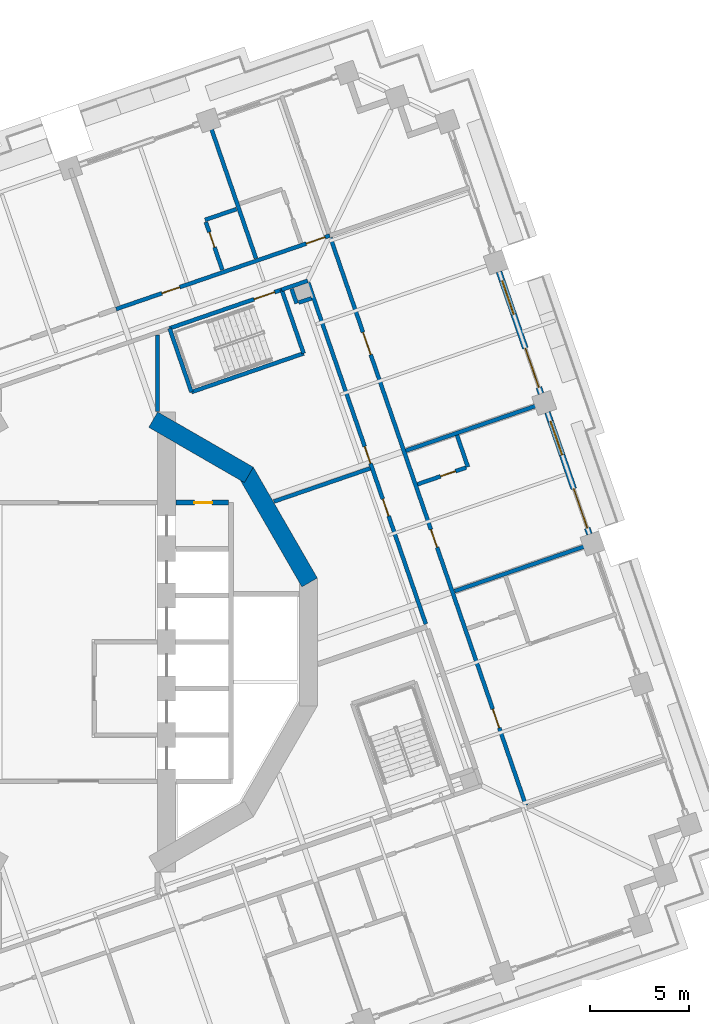
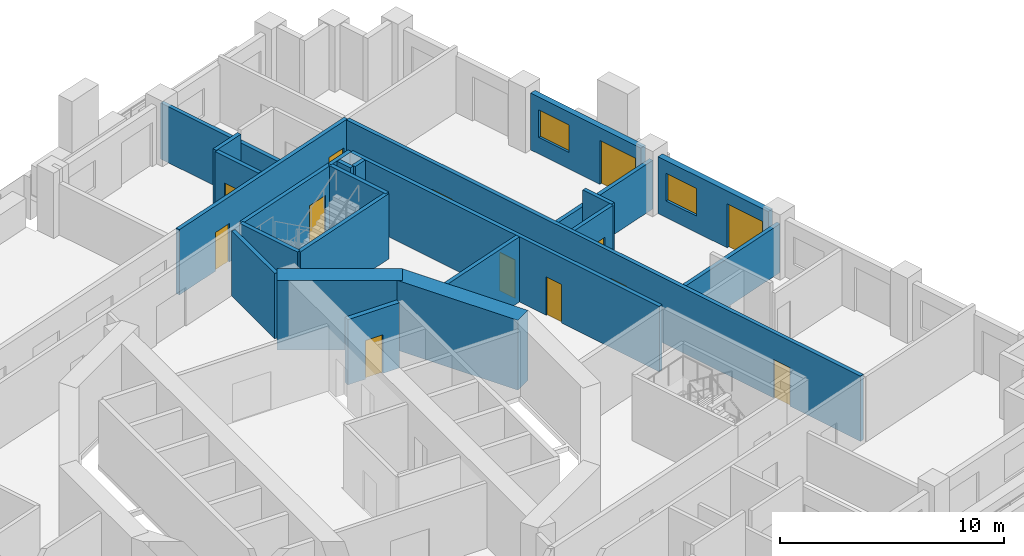
# One storey, part 9 of 18: 24 walls, 13 doors, 2 windows, 15 openings.
"""IFC4 building model written with IfcOpenShell, lengths in metres."""

from ifc_helpers import new_model, si_unit, direction, frame, frame_2d, origin, place, context, subcontext, project, spatial, rectangle, extrude, material, layer, layer_set, type_object, element, fill, save


model = new_model("IFC4")

# Units and contexts
model_context = context("Model", 3, precision=1e-05, world=origin(), true_north=direction((0.0, 1.0)))
body_context = subcontext(model_context, "Body", "Model", "MODEL_VIEW")
ifc_project = project(units=[si_unit("LENGTHUNIT", "METRE"), si_unit("AREAUNIT", "SQUARE_METRE"), si_unit("VOLUMEUNIT", "CUBIC_METRE"), si_unit("PLANEANGLEUNIT", "RADIAN"), si_unit("MASSUNIT", "GRAM", prefix="KILO")], contexts=[model_context])

# Site, building, storey
site_placement = place(None, origin())
site = spatial("IfcSite", under=ifc_project, at=site_placement, CompositionType="ELEMENT")
building_placement = place(site_placement, origin())
building = spatial("IfcBuilding", under=site, at=building_placement, Name="Cantera Rosa Tower", CompositionType="ELEMENT")
storey_placement = place(building_placement, frame((0.0, 0.0, 134.5)))
storey = spatial("IfcBuildingStorey", under=building, at=storey_placement, Name="L28", CompositionType="ELEMENT", Elevation=134.5)

# Walls
ifc_material_1 = material(Name="Gypsum board partition")
ifc_layer_1 = layer(ifc_material_1, 0.199951171875)
ifc_layer_set_1 = layer_set([ifc_layer_1], Name="CORRIDOR WALL 200 H3550")
wall_type_1 = type_object("IfcWallType", Name="CORRIDOR WALL 200 H3550", PredefinedType="PARTITIONING", material=ifc_layer_set_1)
wall_1_placement = place(storey_placement, frame((4.0, 11.667236328125, 0.0), z_axis=(0.0, 0.0, 1.0), x_axis=(0.0, 1.0, 0.0)))
element("IfcWall", 1, at=wall_1_placement, inside=storey, type_object=wall_type_1, Name="CORRIDOR WALL L28-060", PredefinedType="PARTITIONING", context=body_context, shape_type="SweptSolid", body=[
    extrude(rectangle(XDim=3.847900390625, YDim=0.199951171875, at=frame_2d((1.923828125, 0.0))), origin(), (0.0, 0.0, 1.0), 3.550048828125),
])
wall_2_placement = place(storey_placement, frame((11.583984375, 18.2666015625, 0.0), z_axis=(0.0, 0.0, 1.0), x_axis=(-0.945503834334, -0.325610963052, 0.0)))
element("IfcWall", 2, at=wall_2_placement, inside=storey, type_object=wall_type_1, Name="CORRIDOR WALL L28-085", PredefinedType="PARTITIONING", context=body_context, shape_type="SweptSolid", body=[
    extrude(rectangle(XDim=1.38720703125, YDim=0.199951171875, at=frame_2d((0.693603515625, 0.0))), origin(), (0.0, 0.0, 1.0), 3.550048828125),
])

# Wall, openings, doors
wall_3_placement = place(storey_placement, frame((12.699951171875, 20.5546875, 0.0), z_axis=(0.0, 0.0, 1.0), x_axis=(-0.94551504909, -0.325578396003, 0.0)))
wall_3 = element("IfcWall", 3, at=wall_3_placement, inside=storey, type_object=wall_type_1, Name="CORRIDOR WALL L28-088", PredefinedType="PARTITIONING", context=body_context, shape_type="SweptSolid", body=[
    extrude(rectangle(XDim=11.425048828125, YDim=0.199951171875, at=frame_2d((5.71240234375, 0.0))), origin(), (0.0, 0.0, 1.0), 3.550048828125),
])
opening_1_placement = place(wall_3_placement, frame((8.02490234375, 0.0, 0.0)))
opening_1 = element("IfcOpeningElement", 4, at=opening_1_placement, cuts=wall_3, Name="Opening L28-022", PredefinedType="OPENING", context=body_context, shape_type="SweptSolid", body=[
    extrude(rectangle(XDim=0.949951171875, YDim=2.10009765625, at=frame_2d((0.47509765625, 1.050048828125))), frame((0.0, 0.10986328125, 0.0), z_axis=(0.0, -1.0, 0.0), x_axis=(1.0, 0.0, 0.0)), (0.0, 0.0, 1.0), 0.219970703125),
])
opening_2_placement = place(wall_3_placement, frame((0.25, 0.0, 0.0)))
opening_2 = element("IfcOpeningElement", 5, at=opening_2_placement, cuts=wall_3, Name="Opening L28-026", PredefinedType="OPENING", context=body_context, shape_type="SweptSolid", body=[
    extrude(rectangle(XDim=1.0, YDim=2.10009765625, at=frame_2d((0.5, 1.050048828125))), frame((0.0, 0.10986328125, 0.0), z_axis=(0.0, -1.0, 0.0), x_axis=(1.0, 0.0, 0.0)), (0.0, 0.0, 1.0), 0.219970703125),
])
ifc_material_2 = material(Name="Timber door leaf", Category="wood")
door_type_1 = type_object("IfcDoorType", Name="ENTRANCE DOOR 1000x2100", OperationType="NOTDEFINED", PredefinedType="DOOR", material=ifc_material_2)
door_1_placement = place(opening_2_placement, origin())
door_1 = element("IfcDoor", 6, at=door_1_placement, inside=storey, type_object=door_type_1, Name="DOOR L28-026", OperationType="NOTDEFINED", OverallHeight=2.10009765625, OverallWidth=1.0, PredefinedType="DOOR", context=body_context, shape_type="SweptSolid", body=[
    extrude(rectangle(XDim=1.0, YDim=2.10009765625, at=frame_2d((0.5, 1.050048828125))), frame((0.0, 0.02490234375, 0.0), z_axis=(0.0, -1.0, 0.0), x_axis=(1.0, 0.0, 0.0)), (0.0, 0.0, 1.0), 0.050048828125),
])
fill(opening_2, door_1)
ifc_material_3 = material(Name="Timber door leaf", Category="wood")
door_type_2 = type_object("IfcDoorType", Name="ROOM DOOR 950x2100", OperationType="NOTDEFINED", PredefinedType="DOOR", material=ifc_material_3)
door_2_placement = place(opening_1_placement, origin())
door_2 = element("IfcDoor", 7, at=door_2_placement, inside=storey, type_object=door_type_2, Name="DOOR L28-022", OperationType="NOTDEFINED", OverallHeight=2.10009765625, OverallWidth=0.949951171875, PredefinedType="DOOR", context=body_context, shape_type="SweptSolid", body=[
    extrude(rectangle(XDim=0.949951171875, YDim=2.10009765625, at=frame_2d((0.47509765625, 1.050048828125))), frame((0.0, 0.02490234375, 0.0), z_axis=(0.0, -1.0, 0.0), x_axis=(1.0, 0.0, 0.0)), (0.0, 0.0, 1.0), 0.050048828125),
])
fill(opening_1, door_2)

wall_4_placement = place(storey_placement, frame((17.5615234375, 0.906982421875, 0.0), z_axis=(0.0, 0.0, 1.0), x_axis=(-0.325566240089, 0.945519234767, 0.0)))
wall_4 = element("IfcWall", 8, at=wall_4_placement, inside=storey, type_object=wall_type_1, Name="CORRIDOR WALL L28-101", PredefinedType="PARTITIONING", context=body_context, shape_type="SweptSolid", body=[
    extrude(rectangle(XDim=18.260009765625, YDim=0.199951171875, at=frame_2d((9.1298828125, 0.0))), origin(), (0.0, 0.0, 1.0), 3.550048828125),
])
opening_3_placement = place(wall_4_placement, frame((8.592529296875, 0.0, 0.0)))
opening_3 = element("IfcOpeningElement", 9, at=opening_3_placement, cuts=wall_4, Name="Opening L28-004", PredefinedType="OPENING", context=body_context, shape_type="SweptSolid", body=[
    extrude(rectangle(XDim=0.89990234375, YDim=2.10009765625, at=frame_2d((0.449951171875, 1.050048828125))), frame((0.0, 0.10986328125, 0.0), z_axis=(0.0, -1.0, 0.0), x_axis=(1.0, 0.0, 0.0)), (0.0, 0.0, 1.0), 0.219970703125),
])
opening_4_placement = place(wall_4_placement, frame((5.784912109375, 0.0, 0.0)))
opening_4 = element("IfcOpeningElement", 10, at=opening_4_placement, cuts=wall_4, Name="Opening L28-009", PredefinedType="OPENING", context=body_context, shape_type="SweptSolid", body=[
    extrude(rectangle(XDim=0.89990234375, YDim=2.10009765625, at=frame_2d((0.449951171875, 1.050048828125))), frame((0.0, 0.10986328125, 0.0), z_axis=(0.0, -1.0, 0.0), x_axis=(1.0, 0.0, 0.0)), (0.0, 0.0, 1.0), 0.219970703125),
])
ifc_material_4 = material(Name="Timber door leaf", Category="wood")
door_type_3 = type_object("IfcDoorType", Name="SERVICE DOOR 900x2100", OperationType="NOTDEFINED", PredefinedType="DOOR", material=ifc_material_4)
door_3_placement = place(opening_3_placement, origin())
door_3 = element("IfcDoor", 11, at=door_3_placement, inside=storey, type_object=door_type_3, Name="DOOR L28-004", OperationType="NOTDEFINED", OverallHeight=2.10009765625, OverallWidth=0.89990234375, PredefinedType="DOOR", context=body_context, shape_type="SweptSolid", body=[
    extrude(rectangle(XDim=0.89990234375, YDim=2.10009765625, at=frame_2d((0.449951171875, 1.050048828125))), frame((0.0, 0.02490234375, 0.0), z_axis=(0.0, -1.0, 0.0), x_axis=(1.0, 0.0, 0.0)), (0.0, 0.0, 1.0), 0.050048828125),
])
fill(opening_3, door_3)
door_4_placement = place(opening_4_placement, origin())
door_4 = element("IfcDoor", 12, at=door_4_placement, inside=storey, type_object=door_type_3, Name="DOOR L28-009", OperationType="NOTDEFINED", OverallHeight=2.10009765625, OverallWidth=0.89990234375, PredefinedType="DOOR", context=body_context, shape_type="SweptSolid", body=[
    extrude(rectangle(XDim=0.89990234375, YDim=2.10009765625, at=frame_2d((0.449951171875, 1.050048828125))), frame((0.0, 0.02490234375, 0.0), z_axis=(0.0, -1.0, 0.0), x_axis=(1.0, 0.0, 0.0)), (0.0, 0.0, 1.0), 0.050048828125),
])
fill(opening_4, door_4)

wall_5_placement = place(storey_placement, frame((22.623291015625, -8.264892578125, 0.0), z_axis=(0.0, 0.0, 1.0), x_axis=(-0.325567861352, 0.945518676524, 0.0)))
wall_5 = element("IfcWall", 13, at=wall_5_placement, inside=storey, type_object=wall_type_1, Name="CORRIDOR WALL L28-112", PredefinedType="PARTITIONING", context=body_context, shape_type="SweptSolid", body=[
    extrude(rectangle(XDim=30.360107421875, YDim=0.199951171875, at=frame_2d((15.18017578125, 0.0))), origin(), (0.0, 0.0, 1.0), 3.550048828125),
])
opening_5_placement = place(wall_5_placement, frame((4.14990234375, 0.0, 0.0)))
opening_5 = element("IfcOpeningElement", 14, at=opening_5_placement, cuts=wall_5, Name="Opening L28-016", PredefinedType="OPENING", context=body_context, shape_type="SweptSolid", body=[
    extrude(rectangle(XDim=1.0, YDim=2.10009765625, at=frame_2d((0.5, 1.050048828125))), frame((0.0, 0.10986328125, 0.0), z_axis=(0.0, -1.0, 0.0), x_axis=(1.0, 0.0, 0.0)), (0.0, 0.0, 1.0), 0.219970703125),
])
opening_6_placement = place(wall_5_placement, frame((24.110107421875, 0.0, 0.0)))
opening_6 = element("IfcOpeningElement", 15, at=opening_6_placement, cuts=wall_5, Name="Opening L28-019", PredefinedType="OPENING", context=body_context, shape_type="SweptSolid", body=[
    extrude(rectangle(XDim=1.199951171875, YDim=2.10009765625, at=frame_2d((0.60009765625, 1.050048828125))), frame((0.0, 0.10986328125, 0.0), z_axis=(0.0, -1.0, 0.0), x_axis=(1.0, 0.0, 0.0)), (0.0, 0.0, 1.0), 0.219970703125),
])
opening_7_placement = place(wall_5_placement, frame((13.804931640625, 0.0, 0.0)))
opening_7 = element("IfcOpeningElement", 16, at=opening_7_placement, cuts=wall_5, Name="Opening L28-020", PredefinedType="OPENING", context=body_context, shape_type="SweptSolid", body=[
    extrude(rectangle(XDim=0.949951171875, YDim=2.10009765625, at=frame_2d((0.47509765625, 1.050048828125))), frame((0.0, 0.10986328125, 0.0), z_axis=(0.0, -1.0, 0.0), x_axis=(1.0, 0.0, 0.0)), (0.0, 0.0, 1.0), 0.219970703125),
])
door_5_placement = place(opening_5_placement, origin())
door_5 = element("IfcDoor", 17, at=door_5_placement, inside=storey, type_object=door_type_1, Name="DOOR L28-016", OperationType="NOTDEFINED", OverallHeight=2.10009765625, OverallWidth=1.0, PredefinedType="DOOR", context=body_context, shape_type="SweptSolid", body=[
    extrude(rectangle(XDim=1.0, YDim=2.10009765625, at=frame_2d((0.5, 1.050048828125))), frame((0.0, 0.02490234375, 0.0), z_axis=(0.0, -1.0, 0.0), x_axis=(1.0, 0.0, 0.0)), (0.0, 0.0, 1.0), 0.050048828125),
])
fill(opening_5, door_5)
ifc_material_5 = material(Name="Timber door leaf", Category="wood")
door_type_4 = type_object("IfcDoorType", Name="ROOM DOOR 1200x2100", OperationType="NOTDEFINED", PredefinedType="DOOR", material=ifc_material_5)
door_6_placement = place(opening_6_placement, origin())
door_6 = element("IfcDoor", 18, at=door_6_placement, inside=storey, type_object=door_type_4, Name="DOOR L28-019", OperationType="NOTDEFINED", OverallHeight=2.10009765625, OverallWidth=1.199951171875, PredefinedType="DOOR", context=body_context, shape_type="SweptSolid", body=[
    extrude(rectangle(XDim=1.199951171875, YDim=2.10009765625, at=frame_2d((0.60009765625, 1.050048828125))), frame((0.0, 0.02490234375, 0.0), z_axis=(0.0, -1.0, 0.0), x_axis=(1.0, 0.0, 0.0)), (0.0, 0.0, 1.0), 0.050048828125),
])
fill(opening_6, door_6)
door_7_placement = place(opening_7_placement, origin())
door_7 = element("IfcDoor", 19, at=door_7_placement, inside=storey, type_object=door_type_2, Name="DOOR L28-020", OperationType="NOTDEFINED", OverallHeight=2.10009765625, OverallWidth=0.949951171875, PredefinedType="DOOR", context=body_context, shape_type="SweptSolid", body=[
    extrude(rectangle(XDim=0.949951171875, YDim=2.10009765625, at=frame_2d((0.47509765625, 1.050048828125))), frame((0.0, 0.02490234375, 0.0), z_axis=(0.0, -1.0, 0.0), x_axis=(1.0, 0.0, 0.0)), (0.0, 0.0, 1.0), 0.050048828125),
])
fill(opening_7, door_7)

# Wall, openings, window, door
ifc_material_6 = material(Name="Hollow clay masonry with cantera stone cladding", Category="masonry")
ifc_layer_2 = layer(ifc_material_6, 0.300048828125)
ifc_layer_set_2 = layer_set([ifc_layer_2], Name="EW-LOGGIA 300 H3090")
wall_type_2 = type_object("IfcWallType", Name="EW-LOGGIA 300 H3090", PredefinedType="SOLIDWALL", material=ifc_layer_set_2)
wall_6_placement = place(storey_placement, frame((25.833984375, 5.447509765625, 0.0), z_axis=(0.0, 0.0, 1.0), x_axis=(-0.325580990241, 0.945514155787, 0.0)))
wall_6 = element("IfcWall", 20, at=wall_6_placement, inside=storey, type_object=wall_type_2, Name="EN-L28-W03", PredefinedType="SOLIDWALL", context=body_context, shape_type="SweptSolid", body=[
    extrude(rectangle(XDim=6.52001953125, YDim=0.300048828125, at=frame_2d((3.260009765625, 0.0))), origin(), (0.0, 0.0, 1.0), 3.090087890625),
])
opening_8_placement = place(wall_6_placement, frame((0.330078125, 0.0, 0.0)))
opening_8 = element("IfcOpeningElement", 21, at=opening_8_placement, cuts=wall_6, Name="Opening L28-TD05", PredefinedType="OPENING", context=body_context, shape_type="SweptSolid", body=[
    extrude(rectangle(XDim=2.10009765625, YDim=2.39990234375, at=frame_2d((1.050048828125, 1.199951171875))), frame((0.0, 0.159912109375, 0.0), z_axis=(0.0, -1.0, 0.0), x_axis=(1.0, 0.0, 0.0)), (0.0, 0.0, 1.0), 0.320068359375),
])
opening_9_placement = place(wall_6_placement, frame((4.239990234375, 0.0, 0.89990234375)))
opening_9 = element("IfcOpeningElement", 22, at=opening_9_placement, cuts=wall_6, Name="Opening L28-W06", PredefinedType="OPENING", context=body_context, shape_type="SweptSolid", body=[
    extrude(rectangle(XDim=1.800048828125, YDim=1.5, at=frame_2d((0.89990234375, 0.75))), frame((0.0, 0.159912109375, 0.0), z_axis=(0.0, -1.0, 0.0), x_axis=(1.0, 0.0, 0.0)), (0.0, 0.0, 1.0), 0.320068359375),
])
ifc_material_7 = material(Name="Aluminium frame with clear glass", Category="aluminium")
window_type = type_object("IfcWindowType", Name="Hotel room window 1800x1500", PartitioningType="DOUBLE_PANEL_VERTICAL", PredefinedType="WINDOW", material=ifc_material_7)
window_1_placement = place(opening_9_placement, origin())
window_1 = element("IfcWindow", 23, at=window_1_placement, inside=storey, type_object=window_type, Name="WINDOW L28-W06", OverallHeight=1.5, OverallWidth=1.800048828125, PartitioningType="SINGLE_PANEL", PredefinedType="WINDOW", context=body_context, shape_type="SweptSolid", body=[
    extrude(rectangle(XDim=1.800048828125, YDim=1.5, at=frame_2d((0.89990234375, 0.75))), frame((0.0, 0.030029296875, 0.0), z_axis=(0.0, -1.0, 0.0), x_axis=(1.0, 0.0, 0.0)), (0.0, 0.0, 1.0), 0.06005859375),
])
fill(opening_9, window_1)
ifc_material_8 = material(Name="Aluminium frame with clear glass", Category="aluminium")
door_type_5 = type_object("IfcDoorType", Name="TD-H 2100x2400", OperationType="NOTDEFINED", PredefinedType="DOOR", material=ifc_material_8)
door_8_placement = place(opening_8_placement, origin())
door_8 = element("IfcDoor", 24, at=door_8_placement, inside=storey, type_object=door_type_5, Name="LOGGIA DOOR L28-TD05", OperationType="SLIDING_TO_LEFT", OverallHeight=2.39990234375, OverallWidth=2.10009765625, PredefinedType="DOOR", context=body_context, shape_type="SweptSolid", body=[
    extrude(rectangle(XDim=2.10009765625, YDim=2.39990234375, at=frame_2d((1.050048828125, 1.199951171875))), frame((0.0, 0.02490234375, 0.0), z_axis=(0.0, -1.0, 0.0), x_axis=(1.0, 0.0, 0.0)), (0.0, 0.0, 1.0), 0.050048828125),
])
fill(opening_8, door_8)

wall_7_placement = place(storey_placement, frame((23.3857421875, 12.557861328125, 0.0), z_axis=(0.0, 0.0, 1.0), x_axis=(-0.325580990241, 0.945514155787, 0.0)))
wall_7 = element("IfcWall", 25, at=wall_7_placement, inside=storey, type_object=wall_type_2, Name="EN-L28-W04", PredefinedType="SOLIDWALL", context=body_context, shape_type="SweptSolid", body=[
    extrude(rectangle(XDim=6.52001953125, YDim=0.300048828125, at=frame_2d((3.260009765625, 0.0))), origin(), (0.0, 0.0, 1.0), 3.090087890625),
])
opening_10_placement = place(wall_7_placement, frame((0.330078125, 0.0, 0.0)))
opening_10 = element("IfcOpeningElement", 26, at=opening_10_placement, cuts=wall_7, Name="Opening L28-TD07", PredefinedType="OPENING", context=body_context, shape_type="SweptSolid", body=[
    extrude(rectangle(XDim=2.10009765625, YDim=2.39990234375, at=frame_2d((1.050048828125, 1.199951171875))), frame((0.0, 0.159912109375, 0.0), z_axis=(0.0, -1.0, 0.0), x_axis=(1.0, 0.0, 0.0)), (0.0, 0.0, 1.0), 0.320068359375),
])
opening_11_placement = place(wall_7_placement, frame((4.239990234375, 0.0, 0.89990234375)))
opening_11 = element("IfcOpeningElement", 27, at=opening_11_placement, cuts=wall_7, Name="Opening L28-W08", PredefinedType="OPENING", context=body_context, shape_type="SweptSolid", body=[
    extrude(rectangle(XDim=1.800048828125, YDim=1.5, at=frame_2d((0.89990234375, 0.75))), frame((0.0, 0.159912109375, 0.0), z_axis=(0.0, -1.0, 0.0), x_axis=(1.0, 0.0, 0.0)), (0.0, 0.0, 1.0), 0.320068359375),
])
window_2_placement = place(opening_11_placement, origin())
window_2 = element("IfcWindow", 28, at=window_2_placement, inside=storey, type_object=window_type, Name="WINDOW L28-W08", OverallHeight=1.5, OverallWidth=1.800048828125, PartitioningType="SINGLE_PANEL", PredefinedType="WINDOW", context=body_context, shape_type="SweptSolid", body=[
    extrude(rectangle(XDim=1.800048828125, YDim=1.5, at=frame_2d((0.89990234375, 0.75))), frame((0.0, 0.030029296875, 0.0), z_axis=(0.0, -1.0, 0.0), x_axis=(1.0, 0.0, 0.0)), (0.0, 0.0, 1.0), 0.06005859375),
])
fill(opening_11, window_2)
door_9_placement = place(opening_10_placement, origin())
door_9 = element("IfcDoor", 29, at=door_9_placement, inside=storey, type_object=door_type_5, Name="LOGGIA DOOR L28-TD07", OperationType="SLIDING_TO_LEFT", OverallHeight=2.39990234375, OverallWidth=2.10009765625, PredefinedType="DOOR", context=body_context, shape_type="SweptSolid", body=[
    extrude(rectangle(XDim=2.10009765625, YDim=2.39990234375, at=frame_2d((1.050048828125, 1.199951171875))), frame((0.0, 0.02490234375, 0.0), z_axis=(0.0, -1.0, 0.0), x_axis=(1.0, 0.0, 0.0)), (0.0, 0.0, 1.0), 0.050048828125),
])
fill(opening_10, door_9)

# Wall
ifc_material_9 = material(Name="Gypsum board partition")
ifc_layer_3 = layer(ifc_material_9, 0.199951171875)
ifc_layer_set_3 = layer_set([ifc_layer_3], Name="PARTITION 200 H3550")
wall_type_3 = type_object("IfcWallType", Name="PARTITION 200 H3550", PredefinedType="PARTITIONING", material=ifc_layer_set_3)
wall_8_placement = place(storey_placement, frame((6.39892578125, 21.34619140625, 0.0), z_axis=(0.0, 0.0, 1.0), x_axis=(0.945482578037, 0.3256726802, 0.0)))
element("IfcWall", 30, at=wall_8_placement, inside=storey, type_object=wall_type_3, Name="PARTITION L28-068", PredefinedType="PARTITIONING", context=body_context, shape_type="SweptSolid", body=[
    extrude(rectangle(XDim=1.679931640625, YDim=0.199951171875, at=frame_2d((0.83984375, 0.0))), origin(), (0.0, 0.0, 1.0), 3.550048828125),
])

# Wall, opening, door
wall_9_placement = place(storey_placement, frame((7.271484375, 18.812255859375, 0.0), z_axis=(0.0, 0.0, 1.0), x_axis=(-0.325567448058, 0.945518818832, 0.0)))
wall_9 = element("IfcWall", 31, at=wall_9_placement, inside=storey, type_object=wall_type_3, Name="PARTITION L28-070", PredefinedType="PARTITIONING", context=body_context, shape_type="SweptSolid", body=[
    extrude(rectangle(XDim=2.56005859375, YDim=0.199951171875, at=frame_2d((1.280029296875, 0.0))), origin(), (0.0, 0.0, 1.0), 3.550048828125),
])
opening_12_placement = place(wall_9_placement, frame((1.216064453125, 0.0, 0.0)))
opening_12 = element("IfcOpeningElement", 32, at=opening_12_placement, cuts=wall_9, Name="Opening L28-023", PredefinedType="OPENING", context=body_context, shape_type="SweptSolid", body=[
    extrude(rectangle(XDim=0.800048828125, YDim=2.10009765625, at=frame_2d((0.39990234375, 1.050048828125))), frame((0.0, 0.10986328125, 0.0), z_axis=(0.0, -1.0, 0.0), x_axis=(1.0, 0.0, 0.0)), (0.0, 0.0, 1.0), 0.219970703125),
])
ifc_material_10 = material(Name="Timber door leaf", Category="wood")
door_type_6 = type_object("IfcDoorType", Name="BATHROOM DOOR 800x2100", OperationType="NOTDEFINED", PredefinedType="DOOR", material=ifc_material_10)
door_10_placement = place(opening_12_placement, origin())
door_10 = element("IfcDoor", 33, at=door_10_placement, inside=storey, type_object=door_type_6, Name="DOOR L28-023", OperationType="NOTDEFINED", OverallHeight=2.10009765625, OverallWidth=0.800048828125, PredefinedType="DOOR", context=body_context, shape_type="SweptSolid", body=[
    extrude(rectangle(XDim=0.800048828125, YDim=2.10009765625, at=frame_2d((0.39990234375, 1.050048828125))), frame((0.0, 0.02490234375, 0.0), z_axis=(0.0, -1.0, 0.0), x_axis=(1.0, 0.0, 0.0)), (0.0, 0.0, 1.0), 0.050048828125),
])
fill(opening_12, door_10)

# Walls
wall_10_placement = place(storey_placement, frame((10.772216796875, 17.860107421875, 0.0), z_axis=(0.0, 0.0, 1.0), x_axis=(0.325508352099, -0.945539165087, 0.0)))
element("IfcWall", 34, at=wall_10_placement, inside=storey, type_object=wall_type_3, Name="PARTITION L28-080", PredefinedType="PARTITIONING", context=body_context, shape_type="SweptSolid", body=[
    extrude(rectangle(XDim=0.780029296875, YDim=0.199951171875, at=frame_2d((0.39013671875, 0.0))), origin(), (0.0, 0.0, 1.0), 3.550048828125),
])
wall_11_placement = place(storey_placement, frame((11.1396484375, 17.16162109375, 0.0), z_axis=(0.0, 0.0, 1.0), x_axis=(0.945514037629, 0.325581333382, 0.0)))
element("IfcWall", 35, at=wall_11_placement, inside=storey, type_object=wall_type_3, Name="PARTITION L28-083", PredefinedType="PARTITIONING", context=body_context, shape_type="SweptSolid", body=[
    extrude(rectangle(XDim=0.68017578125, YDim=0.199951171875, at=frame_2d((0.340087890625, 0.0))), origin(), (0.0, 0.0, 1.0), 3.550048828125),
])
wall_12_placement = place(storey_placement, frame((14.7451171875, 8.77880859375, 0.0), z_axis=(0.0, 0.0, 1.0), x_axis=(-0.94551748964, -0.325571308296, 0.0)))
element("IfcWall", 36, at=wall_12_placement, inside=storey, type_object=wall_type_3, Name="PARTITION L28-095", PredefinedType="PARTITIONING", context=body_context, shape_type="SweptSolid", body=[
    extrude(rectangle(XDim=5.1494140625, YDim=0.199951171875, at=frame_2d((2.57470703125, 0.0))), origin(), (0.0, 0.0, 1.0), 3.550048828125),
])
wall_13_placement = place(storey_placement, frame((19.13720703125, 10.460205078125, 0.0), z_axis=(0.0, 0.0, 1.0), x_axis=(0.325432952416, -0.945565118583, 0.0)))
element("IfcWall", 37, at=wall_13_placement, inside=storey, type_object=wall_type_3, Name="PARTITION L28-105", PredefinedType="PARTITIONING", context=body_context, shape_type="SweptSolid", body=[
    extrude(rectangle(XDim=1.699951171875, YDim=0.199951171875, at=frame_2d((0.85009765625, 0.0))), origin(), (0.0, 0.0, 1.0), 3.550048828125),
])

# Wall, opening, door
wall_14_placement = place(storey_placement, frame((19.595947265625, 8.8203125, 0.0), z_axis=(0.0, 0.0, 1.0), x_axis=(-0.945519579757, -0.325565238158, 0.0)))
wall_14 = element("IfcWall", 38, at=wall_14_placement, inside=storey, type_object=wall_type_3, Name="PARTITION L28-106", PredefinedType="PARTITIONING", context=body_context, shape_type="SweptSolid", body=[
    extrude(rectangle(XDim=2.599853515625, YDim=0.199951171875, at=frame_2d((1.2998046875, 0.0))), origin(), (0.0, 0.0, 1.0), 3.550048828125),
])
opening_13_placement = place(wall_14_placement, frame((0.56396484375, 0.0, 0.0)))
opening_13 = element("IfcOpeningElement", 39, at=opening_13_placement, cuts=wall_14, Name="Opening L28-021", PredefinedType="OPENING", context=body_context, shape_type="SweptSolid", body=[
    extrude(rectangle(XDim=0.800048828125, YDim=2.10009765625, at=frame_2d((0.39990234375, 1.050048828125))), frame((0.0, 0.10986328125, 0.0), z_axis=(0.0, -1.0, 0.0), x_axis=(1.0, 0.0, 0.0)), (0.0, 0.0, 1.0), 0.219970703125),
])
door_11_placement = place(opening_13_placement, origin())
door_11 = element("IfcDoor", 40, at=door_11_placement, inside=storey, type_object=door_type_6, Name="DOOR L28-021", OperationType="NOTDEFINED", OverallHeight=2.10009765625, OverallWidth=0.800048828125, PredefinedType="DOOR", context=body_context, shape_type="SweptSolid", body=[
    extrude(rectangle(XDim=0.800048828125, YDim=2.10009765625, at=frame_2d((0.39990234375, 1.050048828125))), frame((0.0, 0.02490234375, 0.0), z_axis=(0.0, -1.0, 0.0), x_axis=(1.0, 0.0, 0.0)), (0.0, 0.0, 1.0), 0.050048828125),
])
fill(opening_13, door_11)

# Walls
ifc_material_11 = material(Name="Gypsum board partition")
ifc_layer_4 = layer(ifc_material_11, 0.199951171875)
ifc_layer_set_4 = layer_set([ifc_layer_4], Name="PARTY WALL 200 H2650")
wall_type_4 = type_object("IfcWallType", Name="PARTY WALL 200 H2650", PredefinedType="PARTITIONING", material=ifc_layer_set_4)
wall_15_placement = place(storey_placement, frame((16.551513671875, 9.67578125, 0.0), z_axis=(0.0, 0.0, 1.0), x_axis=(0.945520034471, 0.325563917555, 0.0)))
element("IfcWall", 41, at=wall_15_placement, inside=storey, type_object=wall_type_4, Name="PARTY WALL L28-098", PredefinedType="PARTITIONING", context=body_context, shape_type="SweptSolid", body=[
    extrude(rectangle(XDim=7.3701171875, YDim=0.199951171875, at=frame_2d((3.68505859375, 0.0))), origin(), (0.0, 0.0, 1.0), 2.64990234375),
])
wall_16_placement = place(storey_placement, frame((19.018798828125, 2.572021484375, 0.0), z_axis=(0.0, 0.0, 1.0), x_axis=(0.945514790731, 0.325579146306, 0.0)))
element("IfcWall", 42, at=wall_16_placement, inside=storey, type_object=wall_type_4, Name="PARTY WALL L28-102", PredefinedType="PARTITIONING", context=body_context, shape_type="SweptSolid", body=[
    extrude(rectangle(XDim=7.35009765625, YDim=0.199951171875, at=frame_2d((3.675048828125, 0.0))), origin(), (0.0, 0.0, 1.0), 2.64990234375),
])
ifc_material_12 = material(Name="Gypsum board partition")
ifc_layer_5 = layer(ifc_material_12, 0.199951171875)
ifc_layer_set_5 = layer_set([ifc_layer_5], Name="PARTY WALL 200 H3050")
wall_type_5 = type_object("IfcWallType", Name="PARTY WALL 200 H3050", PredefinedType="PARTITIONING", material=ifc_layer_set_5)
wall_17_placement = place(storey_placement, frame((6.58056640625, 26.347900390625, 0.0), z_axis=(0.0, 0.0, 1.0), x_axis=(0.325549451152, -0.945525015457, 0.0)))
element("IfcWall", 43, at=wall_17_placement, inside=storey, type_object=wall_type_5, Name="PARTY WALL L28-069", PredefinedType="PARTITIONING", context=body_context, shape_type="SweptSolid", body=[
    extrude(rectangle(XDim=7.35009765625, YDim=0.199951171875, at=frame_2d((3.675048828125, 0.0))), origin(), (0.0, 0.0, 1.0), 3.050048828125),
])
ifc_material_13 = material(Name="Concrete C70/85", Category="concrete")
ifc_layer_6 = layer(ifc_material_13, 0.89990234375)
ifc_layer_set_6 = layer_set([ifc_layer_6], Name="RC CORE WALL 900 C70/85")
wall_type_6 = type_object("IfcWallType", Name="RC CORE WALL 900 C70/85", PredefinedType="SHEAR", material=ifc_layer_set_6)
wall_18_placement = place(storey_placement, frame((3.77490234375, 11.242919921875, 0.0), z_axis=(0.0, 0.0, 1.0), x_axis=(0.866026961591, -0.49999730179, 0.0)))
element("IfcWall", 44, at=wall_18_placement, inside=storey, type_object=wall_type_6, Name="CW-E1 L28", PredefinedType="SHEAR", context=body_context, shape_type="SweptSolid", body=[
    extrude(rectangle(XDim=5.58740234375, YDim=0.89990234375, at=frame_2d((2.793701171875, 0.0))), origin(), (0.0, 0.0, 1.0), 3.800048828125),
])
wall_19_placement = place(storey_placement, frame((8.44921875, 8.61376953125, 0.0), z_axis=(0.0, 0.0, 1.0), x_axis=(0.499990282633, -0.866031014036, 0.0)))
element("IfcWall", 45, at=wall_19_placement, inside=storey, type_object=wall_type_6, Name="CW-E2 L28", PredefinedType="SHEAR", context=body_context, shape_type="SweptSolid", body=[
    extrude(rectangle(XDim=6.470458984375, YDim=0.89990234375, at=frame_2d((3.2353515625, 0.0))), origin(), (0.0, 0.0, 1.0), 3.800048828125),
])

# Wall, opening, door
ifc_material_14 = material(Name="Masonry blockwork", Category="masonry")
ifc_layer_7 = layer(ifc_material_14, 0.25)
ifc_layer_set_7 = layer_set([ifc_layer_7], Name="SHAFT WALL 250 H3550")
wall_type_7 = type_object("IfcWallType", Name="SHAFT WALL 250 H3550", PredefinedType="SOLIDWALL", material=ifc_layer_set_7)
wall_20_placement = place(storey_placement, frame((7.580078125, 7.050048828125, 0.0), z_axis=(0.0, 0.0, 1.0), x_axis=(-1.0, 0.0, 0.0)))
wall_20 = element("IfcWall", 46, at=wall_20_placement, inside=storey, type_object=wall_type_7, Name="SHAFT WALL L28-076", PredefinedType="SOLIDWALL", context=body_context, shape_type="SweptSolid", body=[
    extrude(rectangle(XDim=2.650146484375, YDim=0.25, at=frame_2d((1.3251953125, 0.0))), origin(), (0.0, 0.0, 1.0), 3.550048828125),
])
opening_14_placement = place(wall_20_placement, frame((0.830078125, 0.0, 0.0)))
opening_14 = element("IfcOpeningElement", 47, at=opening_14_placement, cuts=wall_20, Name="Opening L28-054", PredefinedType="OPENING", context=body_context, shape_type="SweptSolid", body=[
    extrude(rectangle(XDim=0.89990234375, YDim=2.10009765625, at=frame_2d((0.449951171875, 1.050048828125))), frame((0.0, 0.135009765625, 0.0), z_axis=(0.0, -1.0, 0.0), x_axis=(1.0, 0.0, 0.0)), (0.0, 0.0, 1.0), 0.27001953125),
])
door_12_placement = place(opening_14_placement, origin())
door_12 = element("IfcDoor", 48, at=door_12_placement, inside=storey, type_object=door_type_3, Name="RISER DOOR L28-054", OperationType="NOTDEFINED", OverallHeight=2.10009765625, OverallWidth=0.89990234375, PredefinedType="DOOR", context=body_context, shape_type="SweptSolid", body=[
    extrude(rectangle(XDim=0.89990234375, YDim=2.10009765625, at=frame_2d((0.449951171875, 1.050048828125))), frame((0.0, 0.02490234375, 0.0), z_axis=(0.0, -1.0, 0.0), x_axis=(1.0, 0.0, 0.0)), (0.0, 0.0, 1.0), 0.050048828125),
])
fill(opening_14, door_12)

# Wall
ifc_material_15 = material(Name="Concrete C50/60", Category="concrete")
ifc_layer_8 = layer(ifc_material_15, 0.199951171875)
ifc_layer_set_8 = layer_set([ifc_layer_8], Name="STAIR WALL 200 H3550")
wall_type_8 = type_object("IfcWallType", Name="STAIR WALL 200 H3550", PredefinedType="SOLIDWALL", material=ifc_layer_set_8)
wall_21_placement = place(storey_placement, frame((4.599365234375, 15.861572265625, 0.0), z_axis=(0.0, 0.0, 1.0), x_axis=(0.325562292844, -0.945520593894, 0.0)))
element("IfcWall", 49, at=wall_21_placement, inside=storey, type_object=wall_type_8, Name="STAIR WALL L28-062", PredefinedType="SOLIDWALL", context=body_context, shape_type="SweptSolid", body=[
    extrude(rectangle(XDim=3.407470703125, YDim=0.199951171875, at=frame_2d((1.70361328125, 0.0))), origin(), (0.0, 0.0, 1.0), 3.550048828125),
])

# Wall, opening, door
wall_22_placement = place(storey_placement, frame((4.599365234375, 15.861572265625, 0.0), z_axis=(0.0, 0.0, 1.0), x_axis=(0.945520338581, 0.325563034341, 0.0)))
wall_22 = element("IfcWall", 50, at=wall_22_placement, inside=storey, type_object=wall_type_8, Name="STAIR WALL L28-063", PredefinedType="SOLIDWALL", context=body_context, shape_type="SweptSolid", body=[
    extrude(rectangle(XDim=6.0, YDim=0.199951171875, at=frame_2d((3.0, 0.0))), origin(), (0.0, 0.0, 1.0), 3.550048828125),
])
opening_15_placement = place(wall_22_placement, frame((4.52490234375, 0.0, 0.0)))
opening_15 = element("IfcOpeningElement", 51, at=opening_15_placement, cuts=wall_22, Name="Opening L28-001", PredefinedType="OPENING", context=body_context, shape_type="SweptSolid", body=[
    extrude(rectangle(XDim=1.10009765625, YDim=2.10009765625, at=frame_2d((0.550048828125, 1.050048828125))), frame((0.0, 0.10986328125, 0.0), z_axis=(0.0, -1.0, 0.0), x_axis=(1.0, 0.0, 0.0)), (0.0, 0.0, 1.0), 0.219970703125),
])
ifc_material_16 = material(Name="Steel S355J2 (EN 10025-2)", Category="steel")
door_type_7 = type_object("IfcDoorType", Name="STAIR DOOR 1100x2100", OperationType="NOTDEFINED", PredefinedType="DOOR", material=ifc_material_16)
door_13_placement = place(opening_15_placement, origin())
door_13 = element("IfcDoor", 52, at=door_13_placement, inside=storey, type_object=door_type_7, Name="DOOR L28-001", OperationType="NOTDEFINED", OverallHeight=2.10009765625, OverallWidth=1.10009765625, PredefinedType="DOOR", context=body_context, shape_type="SweptSolid", body=[
    extrude(rectangle(XDim=1.10009765625, YDim=2.10009765625, at=frame_2d((0.550048828125, 1.050048828125))), frame((0.0, 0.02490234375, 0.0), z_axis=(0.0, -1.0, 0.0), x_axis=(1.0, 0.0, 0.0)), (0.0, 0.0, 1.0), 0.050048828125),
])
fill(opening_15, door_13)

# Walls
wall_23_placement = place(storey_placement, frame((5.708740234375, 12.6396484375, 0.0), z_axis=(0.0, 0.0, 1.0), x_axis=(0.945520338581, 0.325563034341, 0.0)))
element("IfcWall", 53, at=wall_23_placement, inside=storey, type_object=wall_type_8, Name="STAIR WALL L28-067", PredefinedType="SOLIDWALL", context=body_context, shape_type="SweptSolid", body=[
    extrude(rectangle(XDim=6.0, YDim=0.199951171875, at=frame_2d((3.0, 0.0))), origin(), (0.0, 0.0, 1.0), 3.550048828125),
])
wall_24_placement = place(storey_placement, frame((11.3818359375, 14.593017578125, 0.0), z_axis=(0.0, 0.0, 1.0), x_axis=(-0.325562292844, 0.945520593894, 0.0)))
element("IfcWall", 54, at=wall_24_placement, inside=storey, type_object=wall_type_8, Name="STAIR WALL L28-084", PredefinedType="SOLIDWALL", context=body_context, shape_type="SweptSolid", body=[
    extrude(rectangle(XDim=3.407470703125, YDim=0.199951171875, at=frame_2d((1.70361328125, 0.0))), origin(), (0.0, 0.0, 1.0), 3.550048828125),
])

save(model, "model.ifc")
